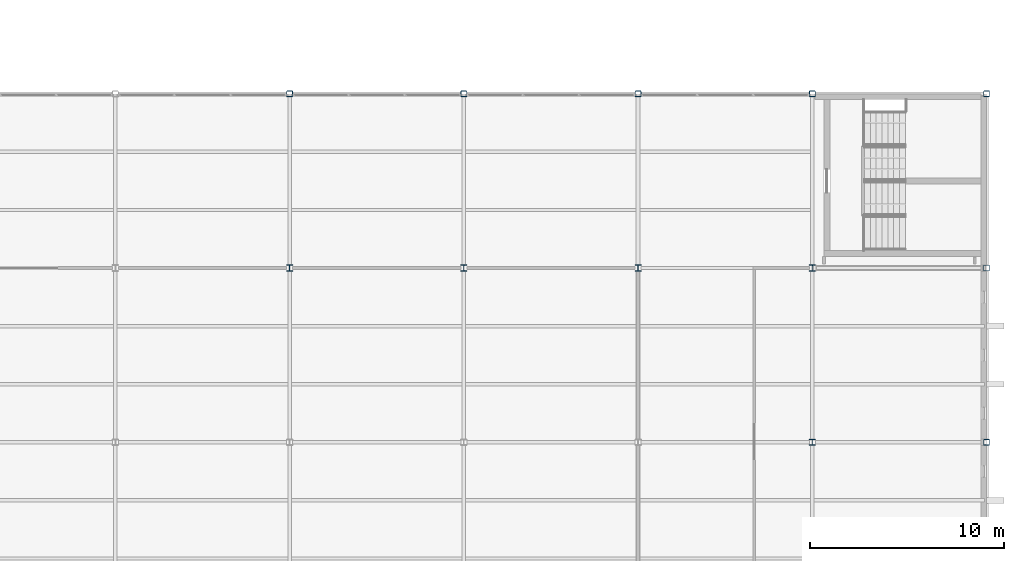
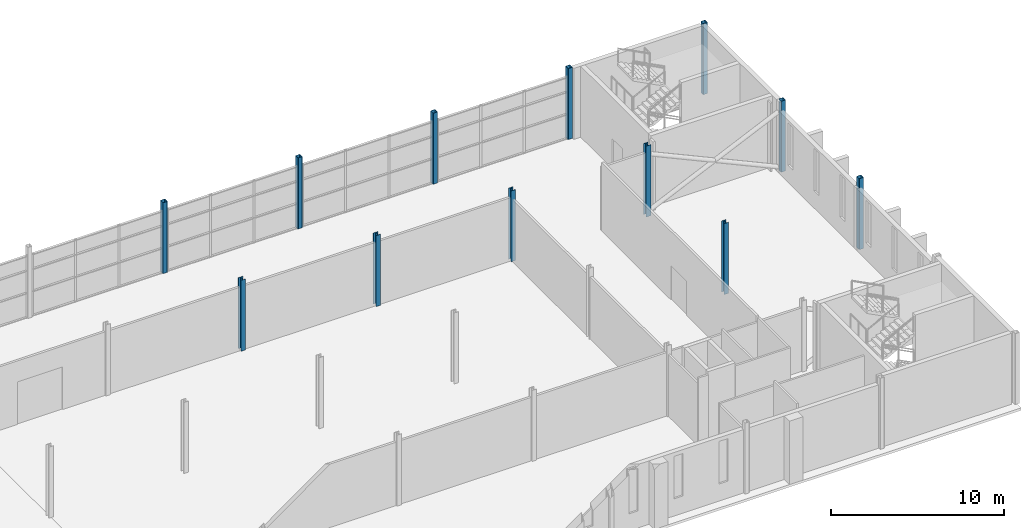
# One storey, part 16 of 112: 12 columns.
"""IFC4 building model written with IfcOpenShell, lengths in metres."""

from ifc_helpers import new_model, si_unit, direction, frame, origin, origin_2d, place, context, subcontext, project, spatial, hollow_rectangle, i_section, extrude, material, material_profile, profile_set, type_object, element, save


model = new_model("IFC4")

# Units and contexts
model_context = context("Model", 3, precision=1e-05, world=origin(), true_north=direction((0.0, 1.0)))
body_context = subcontext(model_context, "Body", "Model", "MODEL_VIEW")
ifc_project = project(units=[si_unit("LENGTHUNIT", "METRE"), si_unit("AREAUNIT", "SQUARE_METRE"), si_unit("VOLUMEUNIT", "CUBIC_METRE"), si_unit("PLANEANGLEUNIT", "RADIAN"), si_unit("MASSUNIT", "GRAM", prefix="KILO")], contexts=[model_context])

# Site, building, storey
site_placement = place(None, origin())
site = spatial("IfcSite", under=ifc_project, at=site_placement, CompositionType="ELEMENT")
building_placement = place(site_placement, origin())
building = spatial("IfcBuilding", under=site, at=building_placement, Name="Shorebreak Coast Museum", CompositionType="ELEMENT")
storey_placement = place(building_placement, frame((0.0, 0.0, 6.0)))
storey = spatial("IfcBuildingStorey", under=building, at=storey_placement, Name="L01", CompositionType="ELEMENT", Elevation=6.0)

# Columns
ifc_material_1 = material(Name="Steel Grade C450L0", Category="steel")
ifc_material_profile_1 = material_profile(ifc_material_1, hollow_rectangle(XDim=0.300048828125, YDim=0.300048828125, WallThickness=0.012451171875, InnerFilletRadius=0.018798828125, OuterFilletRadius=0.03125, at=origin_2d()), Name="300x300x12.5 SHS")
ifc_profile_set_1 = profile_set([ifc_material_profile_1], Name="Steel Grade C450L0")
column_type_1 = type_object("IfcColumnType", Name="Column 300x300x12.5 SHS", PredefinedType="COLUMN", material=ifc_profile_set_1)
for number, where, z_axis, x_axis, name in (
    (1, (171.0, 72.0, 0.0), (0.0, 0.0, 1.0), (1.0, 0.0, 0.0), "Column L01 20J"),
    (2, (171.0, 81.0, 0.0), (0.0, 0.0, 1.0), (1.0, 0.0, 0.0), "Column L01 20K"),
    (3, (135.0, 90.0, 0.0), (0.0, 0.0, 1.0), (1.0, 0.0, 0.0), "Column L01 16L"),
    (4, (144.0, 90.0, 0.0), (0.0, 0.0, 1.0), (1.0, 0.0, 0.0), "Column L01 17L"),
    (5, (153.0, 90.0, 0.0), (0.0, 0.0, 1.0), (1.0, 0.0, 0.0), "Column L01 18L"),
    (6, (162.0, 90.0, 0.0), (0.0, 0.0, 1.0), (1.0, 0.0, 0.0), "Column L01 19L"),
    (7, (171.0, 90.0, 0.0), (0.0, 0.0, 1.0), (1.0, 0.0, 0.0), "Column L01 20L"),
):
    element("IfcColumn", number, at=place(storey_placement, frame(where, z_axis=z_axis, x_axis=x_axis)), inside=storey, type_object=column_type_1, Name=name, PredefinedType="COLUMN", context=body_context, shape_type="SweptSolid", body=[
        extrude(hollow_rectangle(XDim=0.300048828125, YDim=0.300048828125, WallThickness=0.012451171875, InnerFilletRadius=0.018798828125, OuterFilletRadius=0.03125, at=origin_2d()), origin(), (0.0, 0.0, 1.0), 5.0),
    ])
ifc_material_2 = material(Name="Steel Grade 300", Category="steel")
ifc_material_profile_2 = material_profile(ifc_material_2, i_section(OverallWidth=0.30908203125, OverallDepth=0.320556640625, WebThickness=0.013916015625, FlangeThickness=0.021728515625, FilletRadius=0.0166015625, at=origin_2d()), Name="310UC137")
ifc_profile_set_2 = profile_set([ifc_material_profile_2], Name="Steel Grade 300")
column_type_2 = type_object("IfcColumnType", Name="Column 310UC137", PredefinedType="COLUMN", material=ifc_profile_set_2)
for number, where, z_axis, x_axis, name in (
    (8, (162.0, 72.0, 0.0), (0.0, 0.0, 1.0), (1.0, 0.0, 0.0), "Column L01 19J"),
    (9, (135.0, 81.0, 0.0), (0.0, 0.0, 1.0), (1.0, 0.0, 0.0), "Column L01 16K"),
    (10, (144.0, 81.0, 0.0), (0.0, 0.0, 1.0), (1.0, 0.0, 0.0), "Column L01 17K"),
    (11, (153.0, 81.0, 0.0), (0.0, 0.0, 1.0), (1.0, 0.0, 0.0), "Column L01 18K"),
    (12, (162.0, 81.0, 0.0), (0.0, 0.0, 1.0), (1.0, 0.0, 0.0), "Column L01 19K"),
):
    element("IfcColumn", number, at=place(storey_placement, frame(where, z_axis=z_axis, x_axis=x_axis)), inside=storey, type_object=column_type_2, Name=name, PredefinedType="COLUMN", context=body_context, shape_type="SweptSolid", body=[
        extrude(i_section(OverallWidth=0.30908203125, OverallDepth=0.320556640625, WebThickness=0.013916015625, FlangeThickness=0.021728515625, FilletRadius=0.0166015625, at=origin_2d()), origin(), (0.0, 0.0, 1.0), 5.0),
    ])

save(model, "model.ifc")
